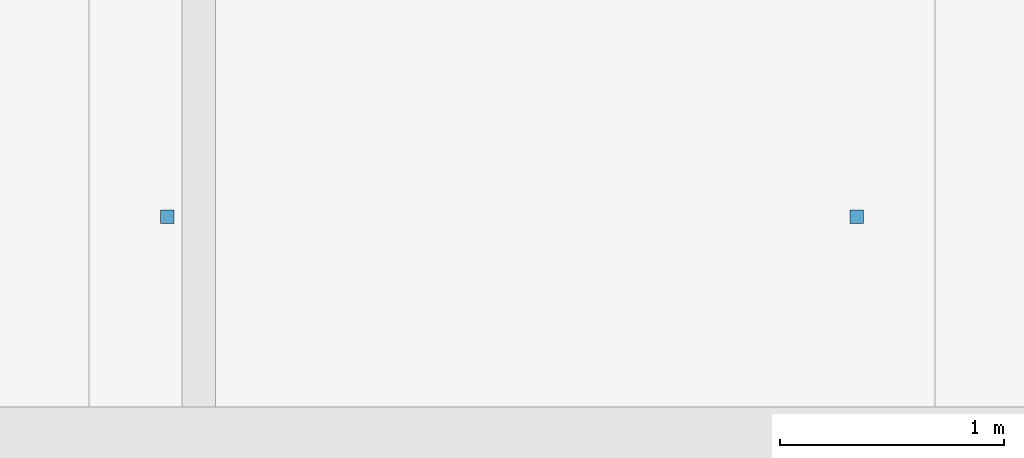
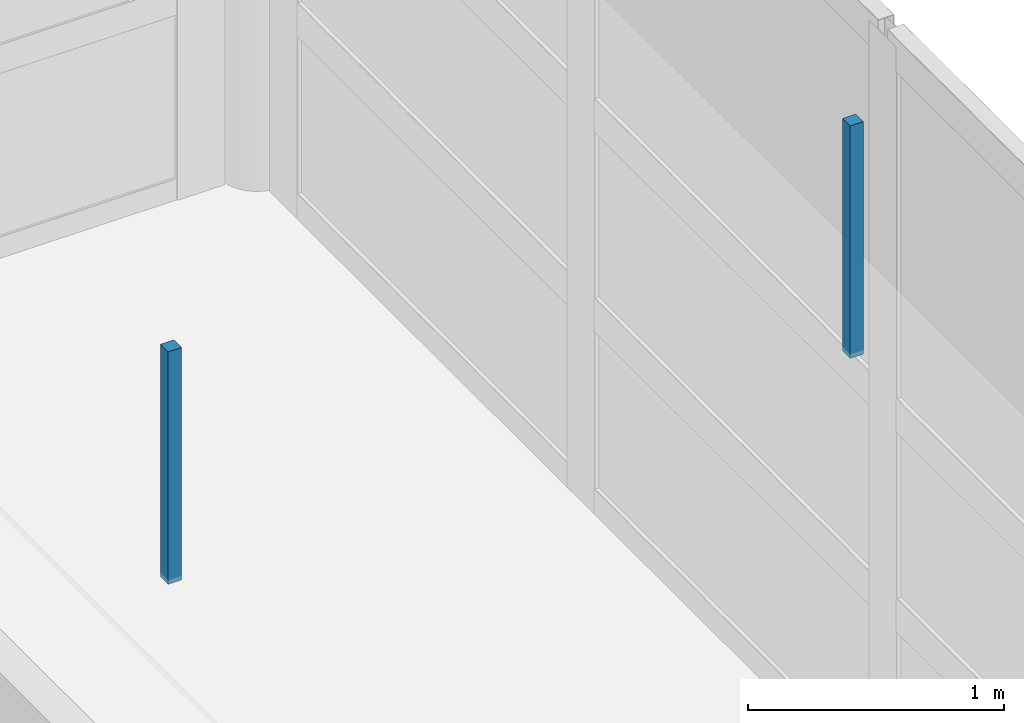
# One storey, part 118 of 141: 2 discrete accessories.
"""IFC4 building model written with IfcOpenShell, lengths in metres."""

from ifc_helpers import new_model, si_unit, direction, frame, origin, origin_2d, place, context, subcontext, project, spatial, rectangle, extrude, material, type_object, element, save


model = new_model("IFC4")

# Units and contexts
model_context = context("Model", 3, precision=1e-05, world=origin(), true_north=direction((0.0, 1.0)))
body_context = subcontext(model_context, "Body", "Model", "MODEL_VIEW")
ifc_project = project(units=[si_unit("LENGTHUNIT", "METRE"), si_unit("AREAUNIT", "SQUARE_METRE"), si_unit("VOLUMEUNIT", "CUBIC_METRE"), si_unit("PLANEANGLEUNIT", "RADIAN"), si_unit("MASSUNIT", "GRAM", prefix="KILO")], contexts=[model_context])

# Site, building, storey
site_placement = place(None, origin())
site = spatial("IfcSite", under=ifc_project, at=site_placement, CompositionType="ELEMENT")
building_placement = place(site_placement, origin())
building = spatial("IfcBuilding", under=site, at=building_placement, Name="Khelvaren Railside Concert Hall", CompositionType="ELEMENT")
storey_placement = place(building_placement, frame((0.0, 0.0, 10.199951171875)))
storey = spatial("IfcBuildingStorey", under=building, at=storey_placement, Name="L02", CompositionType="ELEMENT", Elevation=10.199951171875)

# Discrete accessories
ifc_material = material(Name="Galvanised steel acoustic ceiling hanger rod", Category="steel")
discrete_accessory_type = type_object("IfcDiscreteAccessoryType", Name="BRK62", PredefinedType="BRACKET", material=ifc_material)
for number, where, z_axis, x_axis, name in (
    (1, (179.860107421875, 31.5, 3.43017578125), (0.0, 0.0, 1.0), (1.0, 0.0, 0.0), "Acoustic Ceiling Suspension Bracket 59-1"),
    (2, (182.93994140625, 31.5, 3.43017578125), (0.0, 0.0, 1.0), (1.0, 0.0, 0.0), "Acoustic Ceiling Suspension Bracket 59-2"),
):
    element("IfcDiscreteAccessory", number, at=place(storey_placement, frame(where, z_axis=z_axis, x_axis=x_axis)), inside=storey, type_object=discrete_accessory_type, Name=name, PredefinedType="BRACKET", context=body_context, shape_type="SweptSolid", body=[
        extrude(rectangle(XDim=0.06005859375, YDim=0.06005859375, at=origin_2d()), origin(), (0.0, 0.0, 1.0), 1.110107421875),
    ])

save(model, "model.ifc")
